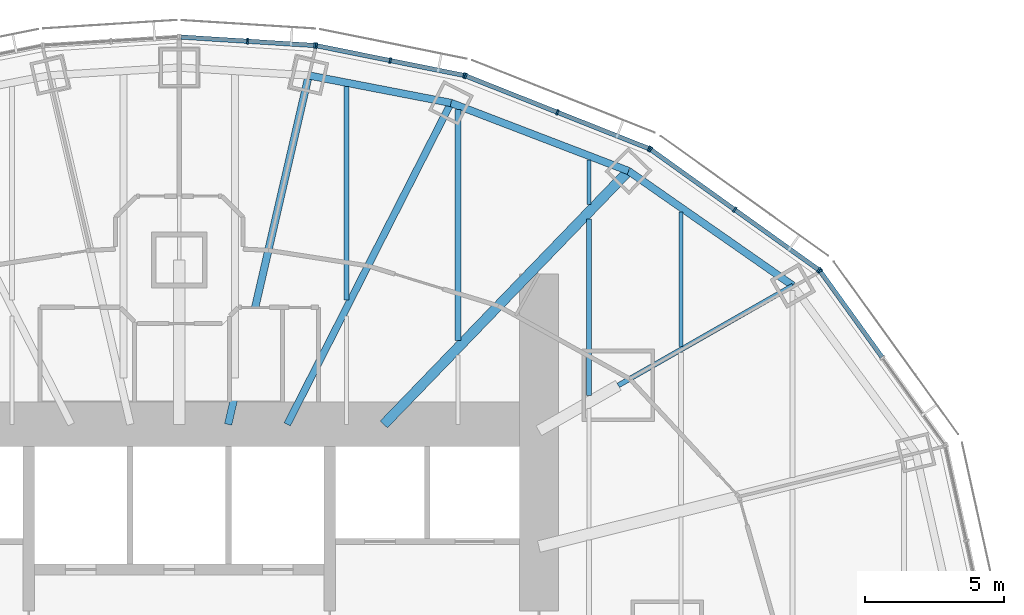
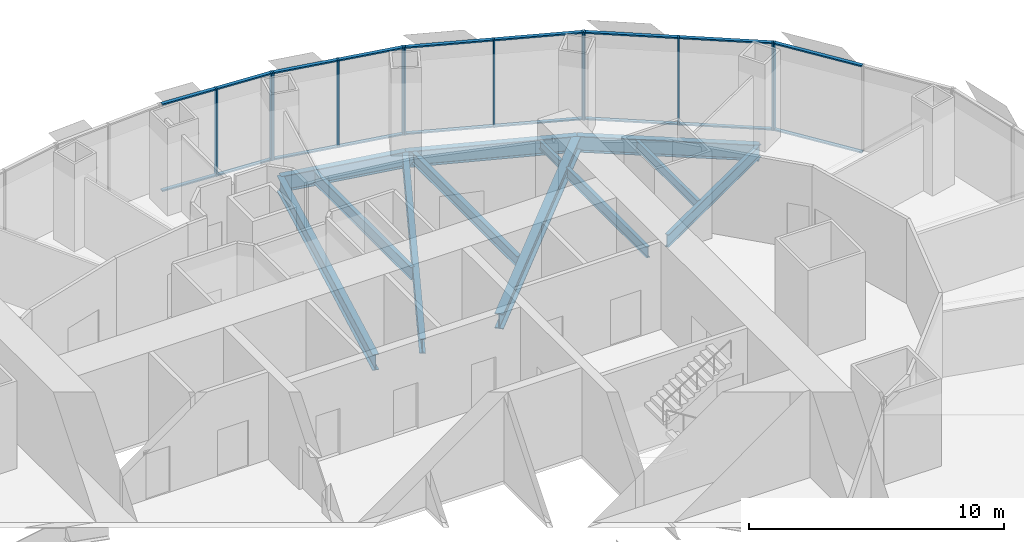
# One storey, part 8 of 17: 30 members, 12 beams, 5 elements without a shape of their own.
"""IFC4 building model written with IfcOpenShell, lengths in metres."""

import ifcopenshell
import ifcopenshell.guid

model = None  # the IFC model being written
_history = None  # IfcOwnerHistory: only IFC2X3 demands one
_inside = {}  # id of a spatial element -> (the spatial element, [elements in it])
_under = {}  # id of a project, library or spatial element -> (it, [spatial elements below it])
_declared = {}  # id of a project -> (the project, [libraries it declares])
_typed = {}  # id of a type object -> (the type object, [elements of that type])
_made_of = {}  # id of a material, layer set ... -> (it, [elements and type objects made of it])


def new_model(schema):
    """Start an empty IFC model of exactly this schema.

    Asked for "IFC4X3", IfcOpenShell would pick the latest addendum, in which some entities
    have other attributes; the version numbers below select the first issue.
    IFC2X3 requires an IfcOwnerHistory on every rooted entity: one is made here for all.
    """
    global model, _history
    if schema == "IFC4X3":
        model = ifcopenshell.file(schema_version=(4, 3, 0, 0))
    else:
        model = ifcopenshell.file(schema=schema)
    _inside.clear()
    _under.clear()
    _declared.clear()
    _typed.clear()
    _made_of.clear()
    _history = None
    if model.schema == "IFC2X3":
        org = make("IfcOrganization", Name="unknown")
        user = make(
            "IfcPersonAndOrganization",
            ThePerson=make("IfcPerson", FamilyName="unknown"),
            TheOrganization=org,
        )
        app = make(
            "IfcApplication",
            ApplicationDeveloper=org,
            Version="unknown",
            ApplicationFullName="unknown",
            ApplicationIdentifier="unknown",
        )
        _history = make(
            "IfcOwnerHistory",
            OwningUser=user,
            OwningApplication=app,
            ChangeAction="ADDED",
            CreationDate=0,
        )
    return model


def make(cls, **values):
    """One entity of the class cls with the attributes given. An attribute that is None is left unset."""
    return model.create_entity(
        cls, **{name: value for name, value in values.items() if value is not None}
    )


def rooted(cls, **values):
    """An entity with a GlobalId (a new one), such as an element, a storey or a relation."""
    return make(cls, GlobalId=ifcopenshell.guid.new(), OwnerHistory=_history, **values)


def si_unit(unit_type, name, prefix=None):
    """IfcSIUnit, for example si_unit("LENGTHUNIT", "METRE", prefix="MILLI")."""
    return make("IfcSIUnit", UnitType=unit_type, Prefix=prefix, Name=name)


def assignment(units):
    """IfcUnitAssignment: the units of a project."""
    return None if units is None else make("IfcUnitAssignment", Units=units)


def point(xyz):
    """IfcCartesianPoint."""
    return None if xyz is None else make("IfcCartesianPoint", Coordinates=xyz)


def direction(xyz):
    """IfcDirection."""
    return None if xyz is None else make("IfcDirection", DirectionRatios=xyz)


def frame(location, z_axis=None, x_axis=None):
    """IfcAxis2Placement3D, a coordinate frame: its origin and axes. An axis left out is left unset."""
    return make(
        "IfcAxis2Placement3D",
        Location=point(location),
        Axis=direction(z_axis),
        RefDirection=direction(x_axis),
    )


def frame_2d(location, x_axis=None):
    """IfcAxis2Placement2D, a coordinate frame in the plane: its origin and x axis."""
    return make(
        "IfcAxis2Placement2D", Location=point(location), RefDirection=direction(x_axis)
    )


def origin():
    """The frame at (0, 0, 0) with its axes left unset."""
    return frame((0.0, 0.0, 0.0))


def origin_2d():
    """The frame at (0, 0) in the plane with its x axis left unset."""
    return frame_2d((0.0, 0.0))


def place(relative_to, where):
    """IfcLocalPlacement: puts the frame where relative to a parent placement (None: the world)."""
    return make(
        "IfcLocalPlacement", PlacementRelTo=relative_to, RelativePlacement=where
    )


def context(
    kind, dimensions, precision=None, world=None, true_north=None, identifier=None
):
    """IfcGeometricRepresentationContext, for example the 3D "Model" context."""
    return make(
        "IfcGeometricRepresentationContext",
        ContextIdentifier=identifier,
        ContextType=kind,
        CoordinateSpaceDimension=dimensions,
        Precision=precision,
        WorldCoordinateSystem=world,
        TrueNorth=true_north,
    )


def subcontext(parent, identifier, kind, view, scale=None):
    """IfcGeometricRepresentationSubContext, for example "Body" below "Model"."""
    return make(
        "IfcGeometricRepresentationSubContext",
        ContextIdentifier=identifier,
        ContextType=kind,
        ParentContext=parent,
        TargetScale=scale,
        TargetView=view,
    )


def project(units=None, contexts=None):
    """IfcProject with its units and contexts."""
    return rooted(
        "IfcProject",
        Name="project",
        RepresentationContexts=contexts,
        UnitsInContext=assignment(units),
    )


def spatial(cls, under=None, at=None, **own):
    """A site, building, storey or space (cls), placed at a placement, below another one or the project."""
    s = rooted(cls, ObjectPlacement=at, **own)
    if under is not None:
        _under.setdefault(under.id(), (under, []))[1].append(s)
    return s


def profile(cls, at=None, kind="AREA", **sizes):
    """A parametric profile (cls). Its sizes go by their IFC names, for example OverallWidth=200.0."""
    return make(cls, ProfileType=kind, Position=at, **sizes)


def rectangle(**sizes):
    """IfcRectangleProfileDef."""
    return profile("IfcRectangleProfileDef", **sizes)


def i_section(**sizes):
    """IfcIShapeProfileDef."""
    return profile("IfcIShapeProfileDef", **sizes)


def extrude(swept, where, along, depth):
    """IfcExtrudedAreaSolid: the profile swept, set in the frame where, extruded along a direction by depth."""
    return make(
        "IfcExtrudedAreaSolid",
        SweptArea=swept,
        Position=where,
        ExtrudedDirection=direction(along),
        Depth=depth,
    )


def shape(context_of_items, identifier, shape_type, items):
    """IfcShapeRepresentation: the items that make up one representation, for example the "Body"."""
    return make(
        "IfcShapeRepresentation",
        ContextOfItems=context_of_items,
        RepresentationIdentifier=identifier,
        RepresentationType=shape_type,
        Items=items,
    )


def material(Name=None, Category=None):
    """IfcMaterial."""
    return make("IfcMaterial", Name=Name, Category=Category)


def material_profile(
    of_material, cross_section, Name=None, Category=None, Priority=None
):
    """IfcMaterialProfile: a cross section and its material."""
    return make(
        "IfcMaterialProfile",
        Name=Name,
        Material=of_material,
        Profile=cross_section,
        Priority=Priority,
        Category=Category,
    )


def profile_set(profiles, Name=None, composite=None):
    """IfcMaterialProfileSet."""
    return make(
        "IfcMaterialProfileSet",
        Name=Name,
        MaterialProfiles=profiles,
        CompositeProfile=composite,
    )


def made_of(thing, what):
    """Note that an element or type object is made of a material, layer set ...; save() writes the relation."""
    if what is not None:
        _made_of.setdefault(what.id(), (what, []))[1].append(thing)
    return thing


def type_object(cls, material=None, **own):
    """A type object (cls), such as IfcWallType, which elements share."""
    return made_of(rooted(cls, **own), material)


def element(
    cls,
    number,
    at=None,
    inside=None,
    cuts=None,
    type_object=None,
    material=None,
    context=None,
    identifier="Body",
    shape_type=None,
    held_by="IfcProductDefinitionShape",
    body=None,
    shapes=None,
    **own,
):
    """One element of the class cls, such as IfcWall. Its Tag is "e" and its number.

    at: its placement. inside: the storey or other place that contains it. cuts: it is an
    opening in that element (IfcRelVoidsElement). A single representation is given by context,
    identifier, shape_type and body (its items); several are given by shapes. held_by: the class
    of the entity that holds the representations. save() writes the other relations.
    """
    e = rooted(cls, Tag="e%d" % number, ObjectPlacement=at, **own)
    if body is not None:
        shapes = [shape(context, identifier, shape_type, body)]
    if shapes is not None:
        e.Representation = make(held_by, Representations=shapes)
    if inside is not None:
        _inside.setdefault(inside.id(), (inside, []))[1].append(e)
    if cuts is not None:
        rooted(
            "IfcRelVoidsElement", RelatingBuildingElement=cuts, RelatedOpeningElement=e
        )
    if type_object is not None:
        _typed.setdefault(type_object.id(), (type_object, []))[1].append(e)
    return made_of(e, material)


def aggregate(whole, parts):
    """IfcRelAggregates: a whole, such as a stair, and the parts it consists of."""
    return rooted("IfcRelAggregates", RelatingObject=whole, RelatedObjects=parts)


def save(model, path):
    """Write the relations noted so far, then the file.

    IfcRelAggregates (storeys below a building ...), IfcRelContainedInSpatialStructure (elements
    in a storey), IfcRelDefinesByType, IfcRelAssociatesMaterial and IfcRelDeclares: one each for
    every whole, place, type object, material and project.
    """
    for whole, parts in _under.values():
        aggregate(whole, parts)
    for where, things in _inside.values():
        rooted(
            "IfcRelContainedInSpatialStructure",
            RelatedElements=things,
            RelatingStructure=where,
        )
    for kind, things in _typed.values():
        rooted("IfcRelDefinesByType", RelatedObjects=things, RelatingType=kind)
    for what, things in _made_of.values():
        rooted("IfcRelAssociatesMaterial", RelatedObjects=things, RelatingMaterial=what)
    for by, libraries in _declared.values():
        rooted("IfcRelDeclares", RelatingContext=by, RelatedDefinitions=libraries)
    model.write(path)


model = new_model("IFC4")

# Units and contexts
model_context = context("Model", 3, precision=1e-05, world=origin(), true_north=direction((0.0, 1.0)))
body_context = subcontext(model_context, "Body", "Model", "MODEL_VIEW")
ifc_project = project(units=[si_unit("LENGTHUNIT", "METRE"), si_unit("AREAUNIT", "SQUARE_METRE"), si_unit("VOLUMEUNIT", "CUBIC_METRE"), si_unit("PLANEANGLEUNIT", "RADIAN"), si_unit("MASSUNIT", "GRAM", prefix="KILO")], contexts=[model_context])

# Site, building, storey
site_placement = place(None, origin())
site = spatial("IfcSite", under=ifc_project, at=site_placement, CompositionType="ELEMENT")
building_placement = place(site_placement, origin())
building = spatial("IfcBuilding", under=site, at=building_placement, Name="Lantaw Convention Tower", CompositionType="ELEMENT")
storey_placement = place(building_placement, frame((0.0, 0.0, 155.199951171875)))
storey = spatial("IfcBuildingStorey", under=building, at=storey_placement, Name="L36", CompositionType="ELEMENT", Elevation=155.199951171875)

# Beams
ifc_material_1 = material(Name="Steel ASTM A992", Category="steel")
ifc_material_profile_1 = material_profile(ifc_material_1, i_section(OverallWidth=0.2666015625, OverallDepth=0.76953125, WebThickness=0.015625, FlangeThickness=0.025390625, FilletRadius=0.0126953125, at=origin_2d()), Name="W30X132")
ifc_profile_set_1 = profile_set([ifc_material_profile_1], Name="Steel ASTM A992")
beam_type_1 = type_object("IfcBeamType", Name="Beam E W30X132", PredefinedType="SPANDREL", material=ifc_profile_set_1)
beam_1_placement = place(storey_placement, frame((22.013916015625, 12.579345703125, -0.53466796875), z_axis=(-0.820310765287, 0.57191804339, 0.0), x_axis=(-0.57191804339, -0.820310765287, 0.0)))
element("IfcBeam", 1, at=beam_1_placement, inside=storey, type_object=beam_type_1, Name="Edge beam 3", PredefinedType="SPANDREL", context=body_context, shape_type="SweptSolid", body=[
    extrude(i_section(OverallWidth=0.2666015625, OverallDepth=0.76953125, WebThickness=0.015625, FlangeThickness=0.025390625, FilletRadius=0.0126953125, at=origin_2d()), origin(), (0.0, 0.0, 1.0), 7.187744140625),
])
beam_2_placement = place(storey_placement, frame((16.11767578125, 16.690185546875, -0.53466796875), z_axis=(-0.933691081977, 0.358079549033, 0.0), x_axis=(-0.358079549033, -0.933691081977, 0.0)))
element("IfcBeam", 2, at=beam_2_placement, inside=storey, type_object=beam_type_1, Name="Edge beam 4", PredefinedType="SPANDREL", context=body_context, shape_type="SweptSolid", body=[
    extrude(i_section(OverallWidth=0.2666015625, OverallDepth=0.76953125, WebThickness=0.015625, FlangeThickness=0.025390625, FilletRadius=0.0126953125, at=origin_2d()), origin(), (0.0, 0.0, 1.0), 6.821533203125),
])
beam_3_placement = place(storey_placement, frame((9.74853515625, 19.1328125, -0.53466796875), z_axis=(-0.981796805654, 0.189934284446, 0.0), x_axis=(-0.189934284446, -0.981796805654, 0.0)))
element("IfcBeam", 3, at=beam_3_placement, inside=storey, type_object=beam_type_1, Name="Edge beam 5", PredefinedType="SPANDREL", context=body_context, shape_type="SweptSolid", body=[
    extrude(i_section(OverallWidth=0.2666015625, OverallDepth=0.76953125, WebThickness=0.015625, FlangeThickness=0.025390625, FilletRadius=0.0126953125, at=origin_2d()), origin(), (0.0, 0.0, 1.0), 5.1982421875),
])
ifc_material_profile_2 = material_profile(ifc_material_1, i_section(OverallWidth=0.177978515625, OverallDepth=0.599365234375, WebThickness=0.010009765625, FlangeThickness=0.012939453125, FilletRadius=0.012939453125, at=origin_2d()), Name="W24X55")
ifc_profile_set_2 = profile_set([ifc_material_profile_2], Name="Steel ASTM A992")
beam_type_2 = type_object("IfcBeamType", Name="Beam G W24X55", PredefinedType="BEAM", material=ifc_profile_set_2)
beam_4_placement = place(storey_placement, frame((15.75, 9.0, -0.44970703125), z_axis=(0.868245224608, 0.496135293993, 0.0), x_axis=(-0.496135293993, 0.868245224608, 0.0)))
element("IfcBeam", 4, at=beam_4_placement, inside=storey, type_object=beam_type_2, Name="Floor girder on ray 3", PredefinedType="BEAM", context=body_context, shape_type="SweptSolid", body=[
    extrude(i_section(OverallWidth=0.177978515625, OverallDepth=0.599365234375, WebThickness=0.010009765625, FlangeThickness=0.012939453125, FilletRadius=0.012939453125, at=origin_2d()), origin(), (0.0, 0.0, 1.0), 7.21435546875),
])
ifc_material_profile_3 = material_profile(ifc_material_1, i_section(OverallWidth=0.25390625, OverallDepth=0.700927734375, WebThickness=0.015380859375, FlangeThickness=0.02783203125, FilletRadius=0.01513671875, at=origin_2d()), Name="W27X129")
ifc_profile_set_3 = profile_set([ifc_material_profile_3], Name="Steel ASTM A992")
beam_type_3 = type_object("IfcBeamType", Name="Beam G W27X129", PredefinedType="BEAM", material=ifc_profile_set_3)
beam_5_placement = place(storey_placement, frame((3.872314453125, 7.60009765625, -0.50048828125), z_axis=(0.453991051051, 0.891006243281, 0.0), x_axis=(-0.891006243281, 0.453991051051, 0.0)))
element("IfcBeam", 5, at=beam_5_placement, inside=storey, type_object=beam_type_3, Name="Floor girder on ray 5", PredefinedType="BEAM", context=body_context, shape_type="SweptSolid", body=[
    extrude(i_section(OverallWidth=0.25390625, OverallDepth=0.700927734375, WebThickness=0.015380859375, FlangeThickness=0.02783203125, FilletRadius=0.01513671875, at=origin_2d()), origin(), (0.0, 0.0, 1.0), 12.943359375),
])
ifc_material_profile_4 = material_profile(ifc_material_1, i_section(OverallWidth=0.360595703125, OverallDepth=0.72900390625, WebThickness=0.023193359375, FlangeThickness=0.041015625, FilletRadius=0.0126953125, at=origin_2d()), Name="W27X235")
ifc_profile_set_4 = profile_set([ifc_material_profile_4], Name="Steel ASTM A992")
beam_type_4 = type_object("IfcBeamType", Name="Beam G W27X235", PredefinedType="BEAM", material=ifc_profile_set_4)
beam_6_placement = place(storey_placement, frame((7.33935546875, 7.60009765625, -0.514404296875), z_axis=(0.694663467407, 0.719334878239, 0.0), x_axis=(-0.719334878239, 0.694663467407, 0.0)))
element("IfcBeam", 6, at=beam_6_placement, inside=storey, type_object=beam_type_4, Name="Floor girder on ray 4", PredefinedType="BEAM", context=body_context, shape_type="SweptSolid", body=[
    extrude(i_section(OverallWidth=0.360595703125, OverallDepth=0.72900390625, WebThickness=0.023193359375, FlangeThickness=0.041015625, FilletRadius=0.0126953125, at=origin_2d()), origin(), (0.0, 0.0, 1.0), 12.63671875),
])
ifc_material_profile_5 = material_profile(ifc_material_1, i_section(OverallWidth=0.2666015625, OverallDepth=0.7568359375, WebThickness=0.013916015625, FlangeThickness=0.019287109375, FilletRadius=0.0126953125, at=origin_2d()), Name="W30X108")
ifc_profile_set_5 = profile_set([ifc_material_profile_5], Name="Steel ASTM A992")
beam_type_5 = type_object("IfcBeamType", Name="Beam G W30X108", PredefinedType="BEAM", material=ifc_profile_set_5)
beam_7_placement = place(storey_placement, frame((1.754638671875, 7.60009765625, -0.5283203125), z_axis=(0.224944153104, 0.974371658036, 0.0), x_axis=(-0.974371658036, 0.224944153104, 0.0)))
element("IfcBeam", 7, at=beam_7_placement, inside=storey, type_object=beam_type_5, Name="Floor girder on ray 6", PredefinedType="BEAM", context=body_context, shape_type="SweptSolid", body=[
    extrude(i_section(OverallWidth=0.2666015625, OverallDepth=0.7568359375, WebThickness=0.013916015625, FlangeThickness=0.019287109375, FilletRadius=0.0126953125, at=origin_2d()), origin(), (0.0, 0.0, 1.0), 12.849365234375),
])
ifc_material_profile_6 = material_profile(ifc_material_1, i_section(OverallWidth=0.140380859375, OverallDepth=0.40380859375, WebThickness=0.007080078125, FlangeThickness=0.01123046875, FilletRadius=0.01025390625, at=origin_2d()), Name="W16X31")
ifc_profile_set_6 = profile_set([ifc_material_profile_6], Name="Steel ASTM A992")
beam_type_6 = type_object("IfcBeamType", Name="Beam J W16X31", PredefinedType="JOIST", material=ifc_profile_set_6)
beam_8_placement = place(storey_placement, frame((14.699951171875, 15.48193359375, -0.351806640625), z_axis=(0.0, 1.0, 0.0), x_axis=(-1.0, 0.0, 0.0)))
element("IfcBeam", 8, at=beam_8_placement, inside=storey, type_object=beam_type_6, Name="Floor joist", PredefinedType="JOIST", context=body_context, shape_type="SweptSolid", body=[
    extrude(i_section(OverallWidth=0.140380859375, OverallDepth=0.40380859375, WebThickness=0.007080078125, FlangeThickness=0.01123046875, FilletRadius=0.01025390625, at=origin_2d()), origin(), (0.0, 0.0, 1.0), 1.609130859375),
])
ifc_material_profile_7 = material_profile(ifc_material_1, i_section(OverallWidth=0.15234375, OverallDepth=0.449462890625, WebThickness=0.007568359375, FlangeThickness=0.0107421875, FilletRadius=0.01025390625, at=origin_2d()), Name="W18X35")
ifc_profile_set_7 = profile_set([ifc_material_profile_7], Name="Steel ASTM A992")
beam_type_7 = type_object("IfcBeamType", Name="Beam J W18X35", PredefinedType="JOIST", material=ifc_profile_set_7)
beam_9_placement = place(storey_placement, frame((18.0, 10.38818359375, -0.374755859375), z_axis=(0.0, 1.0, 0.0), x_axis=(-1.0, 0.0, 0.0)))
element("IfcBeam", 9, at=beam_9_placement, inside=storey, type_object=beam_type_7, Name="Floor joist", PredefinedType="JOIST", context=body_context, shape_type="SweptSolid", body=[
    extrude(i_section(OverallWidth=0.15234375, OverallDepth=0.449462890625, WebThickness=0.007568359375, FlangeThickness=0.0107421875, FilletRadius=0.01025390625, at=origin_2d()), origin(), (0.0, 0.0, 1.0), 4.8271484375),
])
ifc_material_profile_8 = material_profile(ifc_material_1, i_section(OverallWidth=0.1650390625, OverallDepth=0.52587890625, WebThickness=0.0087890625, FlangeThickness=0.011474609375, FilletRadius=0.0126953125, at=origin_2d()), Name="W21X44")
ifc_profile_set_8 = profile_set([ifc_material_profile_8], Name="Steel ASTM A992")
beam_type_8 = type_object("IfcBeamType", Name="Beam J W21X44", PredefinedType="JOIST", material=ifc_profile_set_8)
beam_10_placement = place(storey_placement, frame((14.699951171875, 8.632568359375, -0.412841796875), z_axis=(0.0, 1.0, 0.0), x_axis=(-1.0, 0.0, 0.0)))
element("IfcBeam", 10, at=beam_10_placement, inside=storey, type_object=beam_type_8, Name="Floor joist", PredefinedType="JOIST", context=body_context, shape_type="SweptSolid", body=[
    extrude(i_section(OverallWidth=0.1650390625, OverallDepth=0.52587890625, WebThickness=0.0087890625, FlangeThickness=0.011474609375, FilletRadius=0.0126953125, at=origin_2d()), origin(), (0.0, 0.0, 1.0), 6.330078125),
])
ifc_material_profile_9 = material_profile(ifc_material_1, i_section(OverallWidth=0.2099609375, OverallDepth=0.535888671875, WebThickness=0.010986328125, FlangeThickness=0.017333984375, FilletRadius=0.012939453125, at=origin_2d()), Name="W21X68")
ifc_profile_set_9 = profile_set([ifc_material_profile_9], Name="Steel ASTM A992")
beam_type_9 = type_object("IfcBeamType", Name="Beam J W21X68", PredefinedType="JOIST", material=ifc_profile_set_9)
beam_11_placement = place(storey_placement, frame((10.0, 10.614990234375, -0.41796875), z_axis=(0.0, 1.0, 0.0), x_axis=(-1.0, 0.0, 0.0)))
element("IfcBeam", 11, at=beam_11_placement, inside=storey, type_object=beam_type_9, Name="Floor joist", PredefinedType="JOIST", context=body_context, shape_type="SweptSolid", body=[
    extrude(i_section(OverallWidth=0.2099609375, OverallDepth=0.535888671875, WebThickness=0.010986328125, FlangeThickness=0.017333984375, FilletRadius=0.012939453125, at=origin_2d()), origin(), (0.0, 0.0, 1.0), 8.278564453125),
])
ifc_material_profile_10 = material_profile(ifc_material_1, i_section(OverallWidth=0.177978515625, OverallDepth=0.599365234375, WebThickness=0.010009765625, FlangeThickness=0.012939453125, FilletRadius=0.012939453125, at=origin_2d()), Name="W24X55")
ifc_profile_set_10 = profile_set([ifc_material_profile_10], Name="Steel ASTM A992")
beam_type_10 = type_object("IfcBeamType", Name="Beam J W24X55", PredefinedType="JOIST", material=ifc_profile_set_10)
beam_12_placement = place(storey_placement, frame((6.0, 12.055419921875, -0.44970703125), z_axis=(0.0, 1.0, 0.0), x_axis=(-1.0, 0.0, 0.0)))
element("IfcBeam", 12, at=beam_12_placement, inside=storey, type_object=beam_type_10, Name="Floor joist", PredefinedType="JOIST", context=body_context, shape_type="SweptSolid", body=[
    extrude(i_section(OverallWidth=0.177978515625, OverallDepth=0.599365234375, WebThickness=0.010009765625, FlangeThickness=0.012939453125, FilletRadius=0.012939453125, at=origin_2d()), origin(), (0.0, 0.0, 1.0), 7.666748046875),
])

# Curtain wall, member
ifc_material_2 = material(Name="Aluminium framed curtain wall", Category="aluminium")
curtain_wall_type = type_object("IfcCurtainWallType", Name="Office curtain wall low rise, pale aluminium", PredefinedType="USERDEFINED", material=ifc_material_2)
curtain_wall_1_placement = place(storey_placement, origin())
curtain_wall_1 = element("IfcCurtainWall", 13, at=curtain_wall_1_placement, inside=storey, type_object=curtain_wall_type, Name="Office curtain wall low rise, pale aluminium L36", ObjectType="UNITISED CURTAIN WALL", PredefinedType="USERDEFINED")
ifc_material_3 = material(Name="Aluminium 6063-T6", Category="aluminium")
ifc_material_profile_11 = material_profile(ifc_material_3, rectangle(XDim=0.199951171875, YDim=0.06494140625, at=origin_2d()), Name="CW-O1 mullion 65x200")
ifc_profile_set_11 = profile_set([ifc_material_profile_11], Name="Aluminium 6063-T6")
member_type_1 = type_object("IfcMemberType", Name="CW-O1 mullion 65x200", PredefinedType="MULLION", material=ifc_profile_set_11)
member_1_placement = place(storey_placement, frame((22.988037109375, 13.098876953125, -0.14990234375), z_axis=(0.0, 0.0, 1.0), x_axis=(-0.811384633629, -0.584512597221, 0.0)))
member_1 = element("IfcMember", 14, at=member_1_placement, type_object=member_type_1, Name="CW-O1 mullion 3", PredefinedType="MULLION", context=body_context, shape_type="SweptSolid", body=[
    extrude(rectangle(XDim=0.199951171875, YDim=0.06494140625, at=origin_2d()), origin(), (0.0, 0.0, 1.0), 4.199951171875),
])

# Curtain wall, members
curtain_wall_2_placement = place(storey_placement, origin())
curtain_wall_2 = element("IfcCurtainWall", 15, at=curtain_wall_2_placement, inside=storey, type_object=curtain_wall_type, Name="Office curtain wall low rise, pale aluminium L36", ObjectType="UNITISED CURTAIN WALL", PredefinedType="USERDEFINED")
member_2_placement = place(storey_placement, frame((22.942626953125, 13.14404296875, -0.14990234375), z_axis=(0.0, 0.0, 1.0), x_axis=(-0.581972695693, -0.813208325995, 0.0)))
member_2 = element("IfcMember", 16, at=member_2_placement, type_object=member_type_1, Name="CW-O1 mullion 1", PredefinedType="MULLION", context=body_context, shape_type="SweptSolid", body=[
    extrude(rectangle(XDim=0.199951171875, YDim=0.06494140625, at=origin_2d()), origin(), (0.0, 0.0, 1.0), 4.199951171875),
])
member_3_placement = place(storey_placement, frame((19.92529296875, 15.303466796875, -0.14990234375), z_axis=(0.0, 0.0, 1.0), x_axis=(-0.581972695693, -0.813208325995, 0.0)))
member_3 = element("IfcMember", 17, at=member_3_placement, type_object=member_type_1, Name="CW-O1 mullion 2", PredefinedType="MULLION", context=body_context, shape_type="SweptSolid", body=[
    extrude(rectangle(XDim=0.199951171875, YDim=0.06494140625, at=origin_2d()), origin(), (0.0, 0.0, 1.0), 4.199951171875),
])
member_4_placement = place(storey_placement, frame((16.908203125, 17.462646484375, -0.14990234375), z_axis=(0.0, 0.0, 1.0), x_axis=(-0.581972695693, -0.813208325995, 0.0)))
member_4 = element("IfcMember", 18, at=member_4_placement, type_object=member_type_1, Name="CW-O1 mullion 3", PredefinedType="MULLION", context=body_context, shape_type="SweptSolid", body=[
    extrude(rectangle(XDim=0.199951171875, YDim=0.06494140625, at=origin_2d()), origin(), (0.0, 0.0, 1.0), 4.199951171875),
])

curtain_wall_3_placement = place(storey_placement, origin())
curtain_wall_3 = element("IfcCurtainWall", 19, at=curtain_wall_3_placement, inside=storey, type_object=curtain_wall_type, Name="Office curtain wall low rise, pale aluminium L36", ObjectType="UNITISED CURTAIN WALL", PredefinedType="USERDEFINED")
member_5_placement = place(storey_placement, frame((16.8515625, 17.49365234375, -0.14990234375), z_axis=(0.0, 0.0, 1.0), x_axis=(-0.368701907483, -0.929547687544, 0.0)))
member_5 = element("IfcMember", 20, at=member_5_placement, type_object=member_type_1, Name="CW-O1 mullion 1", PredefinedType="MULLION", context=body_context, shape_type="SweptSolid", body=[
    extrude(rectangle(XDim=0.199951171875, YDim=0.06494140625, at=origin_2d()), origin(), (0.0, 0.0, 1.0), 4.199951171875),
])
member_6_placement = place(storey_placement, frame((13.56494140625, 18.797119140625, -0.14990234375), z_axis=(0.0, 0.0, 1.0), x_axis=(-0.368701907483, -0.929547687544, 0.0)))
member_6 = element("IfcMember", 21, at=member_6_placement, type_object=member_type_1, Name="CW-O1 mullion 2", PredefinedType="MULLION", context=body_context, shape_type="SweptSolid", body=[
    extrude(rectangle(XDim=0.199951171875, YDim=0.06494140625, at=origin_2d()), origin(), (0.0, 0.0, 1.0), 4.199951171875),
])
member_7_placement = place(storey_placement, frame((10.2783203125, 20.100830078125, -0.14990234375), z_axis=(0.0, 0.0, 1.0), x_axis=(-0.368701907483, -0.929547687544, 0.0)))
member_7 = element("IfcMember", 22, at=member_7_placement, type_object=member_type_1, Name="CW-O1 mullion 3", PredefinedType="MULLION", context=body_context, shape_type="SweptSolid", body=[
    extrude(rectangle(XDim=0.199951171875, YDim=0.06494140625, at=origin_2d()), origin(), (0.0, 0.0, 1.0), 4.199951171875),
])

curtain_wall_4_placement = place(storey_placement, origin())
curtain_wall_4 = element("IfcCurtainWall", 23, at=curtain_wall_4_placement, inside=storey, type_object=curtain_wall_type, Name="Office curtain wall low rise, pale aluminium L36", ObjectType="UNITISED CURTAIN WALL", PredefinedType="USERDEFINED")
member_8_placement = place(storey_placement, frame((10.216064453125, 20.119140625, -0.14990234375), z_axis=(0.0, 0.0, 1.0), x_axis=(-0.197506809659, -0.980301514912, 0.0)))
member_8 = element("IfcMember", 24, at=member_8_placement, type_object=member_type_1, Name="CW-O1 mullion 1", PredefinedType="MULLION", context=body_context, shape_type="SweptSolid", body=[
    extrude(rectangle(XDim=0.199951171875, YDim=0.06494140625, at=origin_2d()), origin(), (0.0, 0.0, 1.0), 4.199951171875),
])
member_9_placement = place(storey_placement, frame((7.5703125, 20.65234375, -0.14990234375), z_axis=(0.0, 0.0, 1.0), x_axis=(-0.197506809659, -0.980301514912, 0.0)))
member_9 = element("IfcMember", 25, at=member_9_placement, type_object=member_type_1, Name="CW-O1 mullion 2", PredefinedType="MULLION", context=body_context, shape_type="SweptSolid", body=[
    extrude(rectangle(XDim=0.199951171875, YDim=0.06494140625, at=origin_2d()), origin(), (0.0, 0.0, 1.0), 4.199951171875),
])
member_10_placement = place(storey_placement, frame((4.92431640625, 21.185302734375, -0.14990234375), z_axis=(0.0, 0.0, 1.0), x_axis=(-0.197506809659, -0.980301514912, 0.0)))
member_10 = element("IfcMember", 26, at=member_10_placement, type_object=member_type_1, Name="CW-O1 mullion 3", PredefinedType="MULLION", context=body_context, shape_type="SweptSolid", body=[
    extrude(rectangle(XDim=0.199951171875, YDim=0.06494140625, at=origin_2d()), origin(), (0.0, 0.0, 1.0), 4.199951171875),
])

curtain_wall_5_placement = place(storey_placement, origin())
curtain_wall_5 = element("IfcCurtainWall", 27, at=curtain_wall_5_placement, inside=storey, type_object=curtain_wall_type, Name="Office curtain wall low rise, pale aluminium L36", ObjectType="UNITISED CURTAIN WALL", PredefinedType="USERDEFINED")
member_11_placement = place(storey_placement, frame((4.860107421875, 21.19384765625, -0.14990234375), z_axis=(0.0, 0.0, 1.0), x_axis=(-0.062865059466, -0.998022035978, 0.0)))
member_11 = element("IfcMember", 28, at=member_11_placement, type_object=member_type_1, Name="CW-O1 mullion 1", PredefinedType="MULLION", context=body_context, shape_type="SweptSolid", body=[
    extrude(rectangle(XDim=0.199951171875, YDim=0.06494140625, at=origin_2d()), origin(), (0.0, 0.0, 1.0), 4.199951171875),
])
member_12_placement = place(storey_placement, frame((2.4462890625, 21.345947265625, -0.14990234375), z_axis=(0.0, 0.0, 1.0), x_axis=(-0.062865059466, -0.998022035978, 0.0)))
member_12 = element("IfcMember", 29, at=member_12_placement, type_object=member_type_1, Name="CW-O1 mullion 2", PredefinedType="MULLION", context=body_context, shape_type="SweptSolid", body=[
    extrude(rectangle(XDim=0.199951171875, YDim=0.06494140625, at=origin_2d()), origin(), (0.0, 0.0, 1.0), 4.199951171875),
])

# Member
ifc_material_profile_12 = material_profile(ifc_material_3, rectangle(XDim=0.159912109375, YDim=0.06494140625, at=origin_2d()), Name="CW-O1 transom 65x160")
ifc_profile_set_12 = profile_set([ifc_material_profile_12], Name="Aluminium 6063-T6")
member_type_2 = type_object("IfcMemberType", Name="CW-O1 transom 65x160", PredefinedType="USERDEFINED", material=ifc_profile_set_12)
member_13_placement = place(storey_placement, frame((25.209228515625, 10.015625, -0.117431640625), z_axis=(-0.584512973979, 0.811384362217, 0.0), x_axis=(-0.811384362217, -0.584512973979, 0.0)))
member_13 = element("IfcMember", 30, at=member_13_placement, type_object=member_type_2, Name="CW-O1 transom 2.1", ObjectType="TRANSOM", PredefinedType="USERDEFINED", context=body_context, shape_type="SweptSolid", body=[
    extrude(rectangle(XDim=0.159912109375, YDim=0.06494140625, at=origin_2d()), origin(), (0.0, 0.0, 1.0), 3.767578125),
])

member_14_placement = place(storey_placement, frame((25.209228515625, 10.015625, 4.017578125), z_axis=(-0.584512973979, 0.811384362217, 0.0), x_axis=(-0.811384362217, -0.584512973979, 0.0)))
member_14 = element("IfcMember", 31, at=member_14_placement, type_object=member_type_2, Name="CW-O1 transom 2.2", ObjectType="TRANSOM", PredefinedType="USERDEFINED", context=body_context, shape_type="SweptSolid", body=[
    extrude(rectangle(XDim=0.159912109375, YDim=0.06494140625, at=origin_2d()), origin(), (0.0, 0.0, 1.0), 3.767578125),
])

aggregate(curtain_wall_1, [member_1, member_13, member_14])

member_15_placement = place(storey_placement, frame((22.916259765625, 13.1630859375, -0.117431640625), z_axis=(-0.813221785972, 0.581953887194, 0.0), x_axis=(-0.581953887194, -0.813221785972, 0.0)))
member_15 = element("IfcMember", 32, at=member_15_placement, type_object=member_type_2, Name="CW-O1 transom 1.1", ObjectType="TRANSOM", PredefinedType="USERDEFINED", context=body_context, shape_type="SweptSolid", body=[
    extrude(rectangle(XDim=0.159912109375, YDim=0.06494140625, at=origin_2d()), origin(), (0.0, 0.0, 1.0), 3.645263671875),
])

member_16_placement = place(storey_placement, frame((22.916259765625, 13.1630859375, 4.017578125), z_axis=(-0.813221785972, 0.581953887194, 0.0), x_axis=(-0.581953887194, -0.813221785972, 0.0)))
member_16 = element("IfcMember", 33, at=member_16_placement, type_object=member_type_2, Name="CW-O1 transom 1.2", ObjectType="TRANSOM", PredefinedType="USERDEFINED", context=body_context, shape_type="SweptSolid", body=[
    extrude(rectangle(XDim=0.159912109375, YDim=0.06494140625, at=origin_2d()), origin(), (0.0, 0.0, 1.0), 3.645263671875),
])

member_17_placement = place(storey_placement, frame((19.89892578125, 15.322265625, -0.117431640625), z_axis=(-0.813190089133, 0.581998177777, 0.0), x_axis=(-0.581998177777, -0.813190089133, 0.0)))
member_17 = element("IfcMember", 34, at=member_17_placement, type_object=member_type_2, Name="CW-O1 transom 2.1", ObjectType="TRANSOM", PredefinedType="USERDEFINED", context=body_context, shape_type="SweptSolid", body=[
    extrude(rectangle(XDim=0.159912109375, YDim=0.06494140625, at=origin_2d()), origin(), (0.0, 0.0, 1.0), 3.645263671875),
])

member_18_placement = place(storey_placement, frame((19.89892578125, 15.322265625, 4.017578125), z_axis=(-0.813190089133, 0.581998177777, 0.0), x_axis=(-0.581998177777, -0.813190089133, 0.0)))
member_18 = element("IfcMember", 35, at=member_18_placement, type_object=member_type_2, Name="CW-O1 transom 2.2", ObjectType="TRANSOM", PredefinedType="USERDEFINED", context=body_context, shape_type="SweptSolid", body=[
    extrude(rectangle(XDim=0.159912109375, YDim=0.06494140625, at=origin_2d()), origin(), (0.0, 0.0, 1.0), 3.645263671875),
])

aggregate(curtain_wall_2, [member_2, member_3, member_4, member_15, member_16, member_17, member_18])

member_19_placement = place(storey_placement, frame((16.8212890625, 17.505615234375, -0.117431640625), z_axis=(-0.929564188507, 0.368660303592, 0.0), x_axis=(-0.368660303592, -0.929564188507, 0.0)))
member_19 = element("IfcMember", 36, at=member_19_placement, type_object=member_type_2, Name="CW-O1 transom 1.1", ObjectType="TRANSOM", PredefinedType="USERDEFINED", context=body_context, shape_type="SweptSolid", body=[
    extrude(rectangle(XDim=0.159912109375, YDim=0.06494140625, at=origin_2d()), origin(), (0.0, 0.0, 1.0), 3.470703125),
])

member_20_placement = place(storey_placement, frame((16.8212890625, 17.505615234375, 4.017578125), z_axis=(-0.929564188507, 0.368660303592, 0.0), x_axis=(-0.368660303592, -0.929564188507, 0.0)))
member_20 = element("IfcMember", 37, at=member_20_placement, type_object=member_type_2, Name="CW-O1 transom 1.2", ObjectType="TRANSOM", PredefinedType="USERDEFINED", context=body_context, shape_type="SweptSolid", body=[
    extrude(rectangle(XDim=0.159912109375, YDim=0.06494140625, at=origin_2d()), origin(), (0.0, 0.0, 1.0), 3.470703125),
])

member_21_placement = place(storey_placement, frame((13.53466796875, 18.80908203125, -0.117431640625), z_axis=(-0.929540081544, 0.368721082668, 0.0), x_axis=(-0.368721082668, -0.929540081544, 0.0)))
member_21 = element("IfcMember", 38, at=member_21_placement, type_object=member_type_2, Name="CW-O1 transom 2.1", ObjectType="TRANSOM", PredefinedType="USERDEFINED", context=body_context, shape_type="SweptSolid", body=[
    extrude(rectangle(XDim=0.159912109375, YDim=0.06494140625, at=origin_2d()), origin(), (0.0, 0.0, 1.0), 3.470947265625),
])

member_22_placement = place(storey_placement, frame((13.53466796875, 18.80908203125, 4.017578125), z_axis=(-0.929540081544, 0.368721082668, 0.0), x_axis=(-0.368721082668, -0.929540081544, 0.0)))
member_22 = element("IfcMember", 39, at=member_22_placement, type_object=member_type_2, Name="CW-O1 transom 2.2", ObjectType="TRANSOM", PredefinedType="USERDEFINED", context=body_context, shape_type="SweptSolid", body=[
    extrude(rectangle(XDim=0.159912109375, YDim=0.06494140625, at=origin_2d()), origin(), (0.0, 0.0, 1.0), 3.470947265625),
])

aggregate(curtain_wall_3, [member_5, member_6, member_7, member_19, member_20, member_21, member_22])

member_23_placement = place(storey_placement, frame((10.184326171875, 20.125732421875, -0.117431640625), z_axis=(-0.980301643003, 0.197506173891, 0.0), x_axis=(-0.197506173891, -0.980301643003, 0.0)))
member_23 = element("IfcMember", 40, at=member_23_placement, type_object=member_type_2, Name="CW-O1 transom 1.1", ObjectType="TRANSOM", PredefinedType="USERDEFINED", context=body_context, shape_type="SweptSolid", body=[
    extrude(rectangle(XDim=0.159912109375, YDim=0.06494140625, at=origin_2d()), origin(), (0.0, 0.0, 1.0), 2.63427734375),
])

member_24_placement = place(storey_placement, frame((10.184326171875, 20.125732421875, 4.017578125), z_axis=(-0.980301643003, 0.197506173891, 0.0), x_axis=(-0.197506173891, -0.980301643003, 0.0)))
member_24 = element("IfcMember", 41, at=member_24_placement, type_object=member_type_2, Name="CW-O1 transom 1.2", ObjectType="TRANSOM", PredefinedType="USERDEFINED", context=body_context, shape_type="SweptSolid", body=[
    extrude(rectangle(XDim=0.159912109375, YDim=0.06494140625, at=origin_2d()), origin(), (0.0, 0.0, 1.0), 2.63427734375),
])

member_25_placement = place(storey_placement, frame((7.538330078125, 20.65869140625, -0.117431640625), z_axis=(-0.980298027092, 0.197524120247, 0.0), x_axis=(-0.197524120247, -0.980298027092, 0.0)))
member_25 = element("IfcMember", 42, at=member_25_placement, type_object=member_type_2, Name="CW-O1 transom 2.1", ObjectType="TRANSOM", PredefinedType="USERDEFINED", context=body_context, shape_type="SweptSolid", body=[
    extrude(rectangle(XDim=0.159912109375, YDim=0.06494140625, at=origin_2d()), origin(), (0.0, 0.0, 1.0), 2.634033203125),
])

member_26_placement = place(storey_placement, frame((7.538330078125, 20.65869140625, 4.017578125), z_axis=(-0.980298027092, 0.197524120247, 0.0), x_axis=(-0.197524120247, -0.980298027092, 0.0)))
member_26 = element("IfcMember", 43, at=member_26_placement, type_object=member_type_2, Name="CW-O1 transom 2.2", ObjectType="TRANSOM", PredefinedType="USERDEFINED", context=body_context, shape_type="SweptSolid", body=[
    extrude(rectangle(XDim=0.159912109375, YDim=0.06494140625, at=origin_2d()), origin(), (0.0, 0.0, 1.0), 2.634033203125),
])

aggregate(curtain_wall_4, [member_8, member_9, member_10, member_23, member_24, member_25, member_26])

member_27_placement = place(storey_placement, frame((4.82763671875, 21.19580078125, -0.117431640625), z_axis=(-0.998022188463, 0.062862638625, 0.0), x_axis=(-0.062862638625, -0.998022188463, 0.0)))
member_27 = element("IfcMember", 44, at=member_27_placement, type_object=member_type_2, Name="CW-O1 transom 1.1", ObjectType="TRANSOM", PredefinedType="USERDEFINED", context=body_context, shape_type="SweptSolid", body=[
    extrude(rectangle(XDim=0.159912109375, YDim=0.06494140625, at=origin_2d()), origin(), (0.0, 0.0, 1.0), 2.353515625),
])

member_28_placement = place(storey_placement, frame((4.82763671875, 21.19580078125, 4.017578125), z_axis=(-0.998022188463, 0.062862638625, 0.0), x_axis=(-0.062862638625, -0.998022188463, 0.0)))
member_28 = element("IfcMember", 45, at=member_28_placement, type_object=member_type_2, Name="CW-O1 transom 1.2", ObjectType="TRANSOM", PredefinedType="USERDEFINED", context=body_context, shape_type="SweptSolid", body=[
    extrude(rectangle(XDim=0.159912109375, YDim=0.06494140625, at=origin_2d()), origin(), (0.0, 0.0, 1.0), 2.353515625),
])

member_29_placement = place(storey_placement, frame((2.413818359375, 21.347900390625, -0.117431640625), z_axis=(-0.998022188463, 0.062862638625, 0.0), x_axis=(-0.062862638625, -0.998022188463, 0.0)))
member_29 = element("IfcMember", 46, at=member_29_placement, type_object=member_type_2, Name="CW-O1 transom 2.1", ObjectType="TRANSOM", PredefinedType="USERDEFINED", context=body_context, shape_type="SweptSolid", body=[
    extrude(rectangle(XDim=0.159912109375, YDim=0.06494140625, at=origin_2d()), origin(), (0.0, 0.0, 1.0), 2.353515625),
])

member_30_placement = place(storey_placement, frame((2.413818359375, 21.347900390625, 4.017578125), z_axis=(-0.998022188463, 0.062862638625, 0.0), x_axis=(-0.062862638625, -0.998022188463, 0.0)))
member_30 = element("IfcMember", 47, at=member_30_placement, type_object=member_type_2, Name="CW-O1 transom 2.2", ObjectType="TRANSOM", PredefinedType="USERDEFINED", context=body_context, shape_type="SweptSolid", body=[
    extrude(rectangle(XDim=0.159912109375, YDim=0.06494140625, at=origin_2d()), origin(), (0.0, 0.0, 1.0), 2.353515625),
])

aggregate(curtain_wall_5, [member_11, member_12, member_27, member_28, member_29, member_30])

save(model, "model.ifc")
